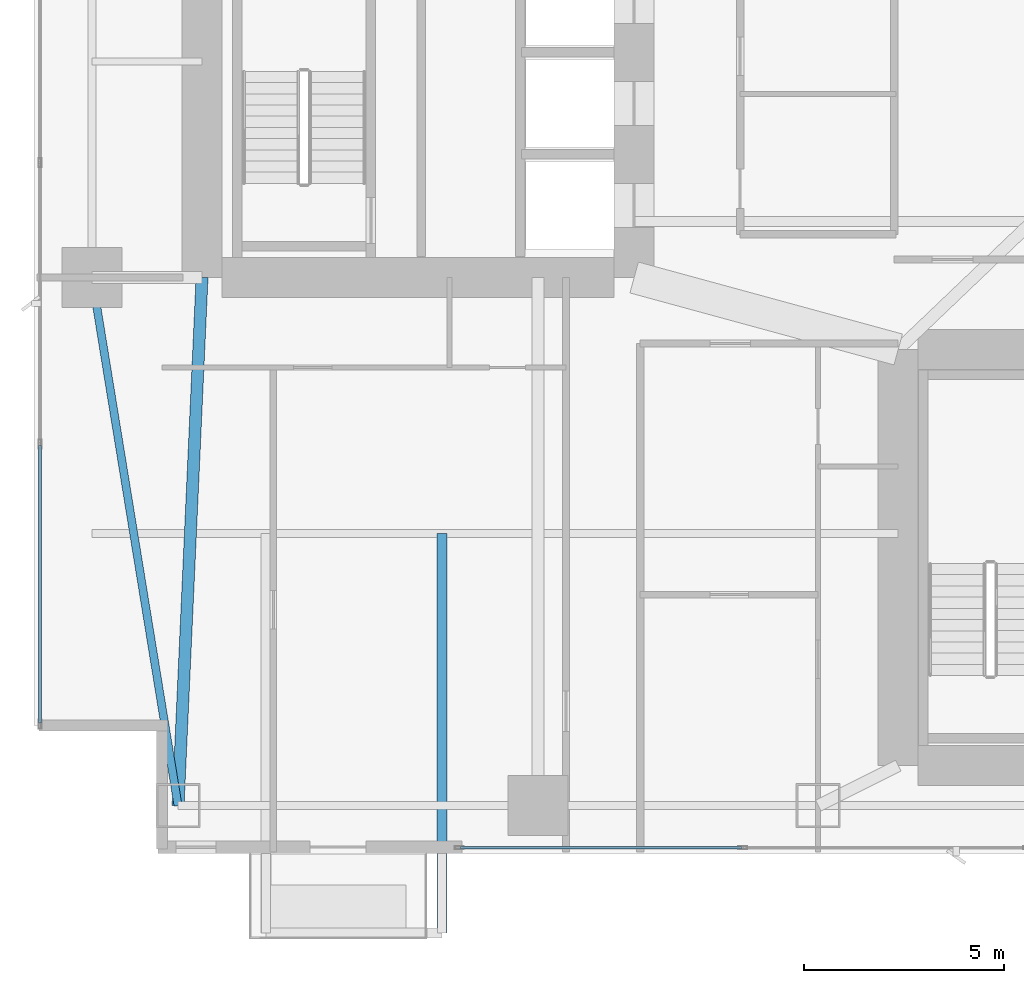
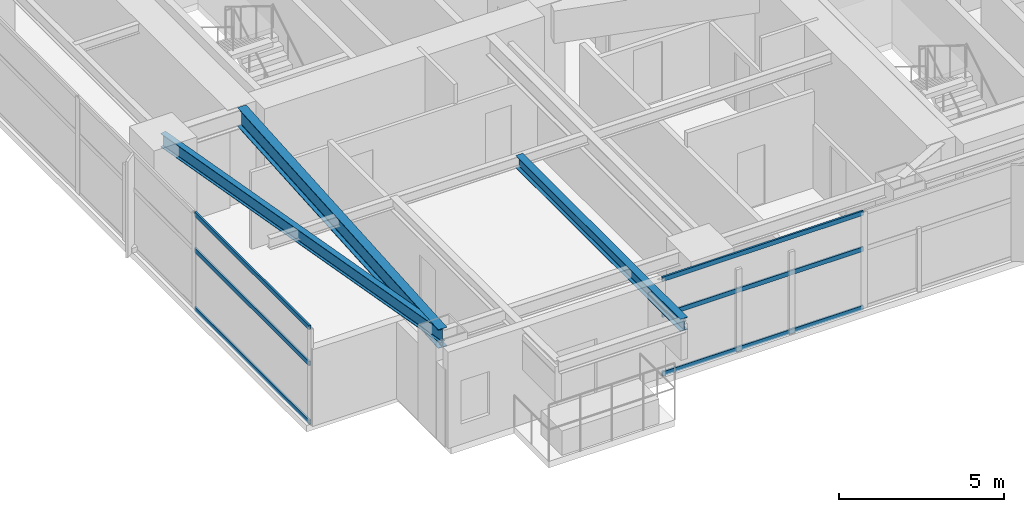
# One storey, part 3 of 30: 6 members, 3 beams, 2 elements without a shape of their own.
"""IFC4 building model written with IfcOpenShell, lengths in metres."""

import ifcopenshell
import ifcopenshell.guid

model = None  # the IFC model being written
_history = None  # IfcOwnerHistory: only IFC2X3 demands one
_inside = {}  # id of a spatial element -> (the spatial element, [elements in it])
_under = {}  # id of a project, library or spatial element -> (it, [spatial elements below it])
_declared = {}  # id of a project -> (the project, [libraries it declares])
_typed = {}  # id of a type object -> (the type object, [elements of that type])
_made_of = {}  # id of a material, layer set ... -> (it, [elements and type objects made of it])


def new_model(schema):
    """Start an empty IFC model of exactly this schema.

    Asked for "IFC4X3", IfcOpenShell would pick the latest addendum, in which some entities
    have other attributes; the version numbers below select the first issue.
    IFC2X3 requires an IfcOwnerHistory on every rooted entity: one is made here for all.
    """
    global model, _history
    if schema == "IFC4X3":
        model = ifcopenshell.file(schema_version=(4, 3, 0, 0))
    else:
        model = ifcopenshell.file(schema=schema)
    _inside.clear()
    _under.clear()
    _declared.clear()
    _typed.clear()
    _made_of.clear()
    _history = None
    if model.schema == "IFC2X3":
        org = make("IfcOrganization", Name="unknown")
        user = make(
            "IfcPersonAndOrganization",
            ThePerson=make("IfcPerson", FamilyName="unknown"),
            TheOrganization=org,
        )
        app = make(
            "IfcApplication",
            ApplicationDeveloper=org,
            Version="unknown",
            ApplicationFullName="unknown",
            ApplicationIdentifier="unknown",
        )
        _history = make(
            "IfcOwnerHistory",
            OwningUser=user,
            OwningApplication=app,
            ChangeAction="ADDED",
            CreationDate=0,
        )
    return model


def make(cls, **values):
    """One entity of the class cls with the attributes given. An attribute that is None is left unset."""
    return model.create_entity(
        cls, **{name: value for name, value in values.items() if value is not None}
    )


def rooted(cls, **values):
    """An entity with a GlobalId (a new one), such as an element, a storey or a relation."""
    return make(cls, GlobalId=ifcopenshell.guid.new(), OwnerHistory=_history, **values)


def si_unit(unit_type, name, prefix=None):
    """IfcSIUnit, for example si_unit("LENGTHUNIT", "METRE", prefix="MILLI")."""
    return make("IfcSIUnit", UnitType=unit_type, Prefix=prefix, Name=name)


def assignment(units):
    """IfcUnitAssignment: the units of a project."""
    return None if units is None else make("IfcUnitAssignment", Units=units)


def point(xyz):
    """IfcCartesianPoint."""
    return None if xyz is None else make("IfcCartesianPoint", Coordinates=xyz)


def direction(xyz):
    """IfcDirection."""
    return None if xyz is None else make("IfcDirection", DirectionRatios=xyz)


def frame(location, z_axis=None, x_axis=None):
    """IfcAxis2Placement3D, a coordinate frame: its origin and axes. An axis left out is left unset."""
    return make(
        "IfcAxis2Placement3D",
        Location=point(location),
        Axis=direction(z_axis),
        RefDirection=direction(x_axis),
    )


def frame_2d(location, x_axis=None):
    """IfcAxis2Placement2D, a coordinate frame in the plane: its origin and x axis."""
    return make(
        "IfcAxis2Placement2D", Location=point(location), RefDirection=direction(x_axis)
    )


def origin():
    """The frame at (0, 0, 0) with its axes left unset."""
    return frame((0.0, 0.0, 0.0))


def origin_2d():
    """The frame at (0, 0) in the plane with its x axis left unset."""
    return frame_2d((0.0, 0.0))


def place(relative_to, where):
    """IfcLocalPlacement: puts the frame where relative to a parent placement (None: the world)."""
    return make(
        "IfcLocalPlacement", PlacementRelTo=relative_to, RelativePlacement=where
    )


def context(
    kind, dimensions, precision=None, world=None, true_north=None, identifier=None
):
    """IfcGeometricRepresentationContext, for example the 3D "Model" context."""
    return make(
        "IfcGeometricRepresentationContext",
        ContextIdentifier=identifier,
        ContextType=kind,
        CoordinateSpaceDimension=dimensions,
        Precision=precision,
        WorldCoordinateSystem=world,
        TrueNorth=true_north,
    )


def subcontext(parent, identifier, kind, view, scale=None):
    """IfcGeometricRepresentationSubContext, for example "Body" below "Model"."""
    return make(
        "IfcGeometricRepresentationSubContext",
        ContextIdentifier=identifier,
        ContextType=kind,
        ParentContext=parent,
        TargetScale=scale,
        TargetView=view,
    )


def project(units=None, contexts=None):
    """IfcProject with its units and contexts."""
    return rooted(
        "IfcProject",
        Name="project",
        RepresentationContexts=contexts,
        UnitsInContext=assignment(units),
    )


def spatial(cls, under=None, at=None, **own):
    """A site, building, storey or space (cls), placed at a placement, below another one or the project."""
    s = rooted(cls, ObjectPlacement=at, **own)
    if under is not None:
        _under.setdefault(under.id(), (under, []))[1].append(s)
    return s


def profile(cls, at=None, kind="AREA", **sizes):
    """A parametric profile (cls). Its sizes go by their IFC names, for example OverallWidth=200.0."""
    return make(cls, ProfileType=kind, Position=at, **sizes)


def hollow_rectangle(**sizes):
    """IfcRectangleHollowProfileDef."""
    return profile("IfcRectangleHollowProfileDef", **sizes)


def i_section(**sizes):
    """IfcIShapeProfileDef."""
    return profile("IfcIShapeProfileDef", **sizes)


def extrude(swept, where, along, depth):
    """IfcExtrudedAreaSolid: the profile swept, set in the frame where, extruded along a direction by depth."""
    return make(
        "IfcExtrudedAreaSolid",
        SweptArea=swept,
        Position=where,
        ExtrudedDirection=direction(along),
        Depth=depth,
    )


def shape(context_of_items, identifier, shape_type, items):
    """IfcShapeRepresentation: the items that make up one representation, for example the "Body"."""
    return make(
        "IfcShapeRepresentation",
        ContextOfItems=context_of_items,
        RepresentationIdentifier=identifier,
        RepresentationType=shape_type,
        Items=items,
    )


def material(Name=None, Category=None):
    """IfcMaterial."""
    return make("IfcMaterial", Name=Name, Category=Category)


def layer(
    of_material, thickness, ventilated=None, Name=None, Category=None, Priority=None
):
    """IfcMaterialLayer: one layer of a wall or slab, of a material (None: an air gap)."""
    return make(
        "IfcMaterialLayer",
        Material=of_material,
        LayerThickness=thickness,
        IsVentilated=ventilated,
        Name=Name,
        Category=Category,
        Priority=Priority,
    )


def layer_set(layers, Name=None):
    """IfcMaterialLayerSet."""
    return make("IfcMaterialLayerSet", MaterialLayers=layers, LayerSetName=Name)


def material_profile(
    of_material, cross_section, Name=None, Category=None, Priority=None
):
    """IfcMaterialProfile: a cross section and its material."""
    return make(
        "IfcMaterialProfile",
        Name=Name,
        Material=of_material,
        Profile=cross_section,
        Priority=Priority,
        Category=Category,
    )


def profile_set(profiles, Name=None, composite=None):
    """IfcMaterialProfileSet."""
    return make(
        "IfcMaterialProfileSet",
        Name=Name,
        MaterialProfiles=profiles,
        CompositeProfile=composite,
    )


def made_of(thing, what):
    """Note that an element or type object is made of a material, layer set ...; save() writes the relation."""
    if what is not None:
        _made_of.setdefault(what.id(), (what, []))[1].append(thing)
    return thing


def type_object(cls, material=None, **own):
    """A type object (cls), such as IfcWallType, which elements share."""
    return made_of(rooted(cls, **own), material)


def element(
    cls,
    number,
    at=None,
    inside=None,
    cuts=None,
    type_object=None,
    material=None,
    context=None,
    identifier="Body",
    shape_type=None,
    held_by="IfcProductDefinitionShape",
    body=None,
    shapes=None,
    **own,
):
    """One element of the class cls, such as IfcWall. Its Tag is "e" and its number.

    at: its placement. inside: the storey or other place that contains it. cuts: it is an
    opening in that element (IfcRelVoidsElement). A single representation is given by context,
    identifier, shape_type and body (its items); several are given by shapes. held_by: the class
    of the entity that holds the representations. save() writes the other relations.
    """
    e = rooted(cls, Tag="e%d" % number, ObjectPlacement=at, **own)
    if body is not None:
        shapes = [shape(context, identifier, shape_type, body)]
    if shapes is not None:
        e.Representation = make(held_by, Representations=shapes)
    if inside is not None:
        _inside.setdefault(inside.id(), (inside, []))[1].append(e)
    if cuts is not None:
        rooted(
            "IfcRelVoidsElement", RelatingBuildingElement=cuts, RelatedOpeningElement=e
        )
    if type_object is not None:
        _typed.setdefault(type_object.id(), (type_object, []))[1].append(e)
    return made_of(e, material)


def aggregate(whole, parts):
    """IfcRelAggregates: a whole, such as a stair, and the parts it consists of."""
    return rooted("IfcRelAggregates", RelatingObject=whole, RelatedObjects=parts)


def save(model, path):
    """Write the relations noted so far, then the file.

    IfcRelAggregates (storeys below a building ...), IfcRelContainedInSpatialStructure (elements
    in a storey), IfcRelDefinesByType, IfcRelAssociatesMaterial and IfcRelDeclares: one each for
    every whole, place, type object, material and project.
    """
    for whole, parts in _under.values():
        aggregate(whole, parts)
    for where, things in _inside.values():
        rooted(
            "IfcRelContainedInSpatialStructure",
            RelatedElements=things,
            RelatingStructure=where,
        )
    for kind, things in _typed.values():
        rooted("IfcRelDefinesByType", RelatedObjects=things, RelatingType=kind)
    for what, things in _made_of.values():
        rooted("IfcRelAssociatesMaterial", RelatedObjects=things, RelatingMaterial=what)
    for by, libraries in _declared.values():
        rooted("IfcRelDeclares", RelatingContext=by, RelatedDefinitions=libraries)
    model.write(path)


model = new_model("IFC4")

# Units and contexts
model_context = context("Model", 3, precision=1e-05, world=origin(), true_north=direction((0.0, 1.0)))
body_context = subcontext(model_context, "Body", "Model", "MODEL_VIEW")
ifc_project = project(units=[si_unit("LENGTHUNIT", "METRE"), si_unit("AREAUNIT", "SQUARE_METRE"), si_unit("VOLUMEUNIT", "CUBIC_METRE"), si_unit("PLANEANGLEUNIT", "RADIAN"), si_unit("MASSUNIT", "GRAM", prefix="KILO")], contexts=[model_context])

# Site, building, storey
site_placement = place(None, origin())
site = spatial("IfcSite", under=ifc_project, at=site_placement, CompositionType="ELEMENT")
building_placement = place(site_placement, origin())
building = spatial("IfcBuilding", under=site, at=building_placement, Name="Calvorn Quay Hotel", CompositionType="ELEMENT")
storey_placement = place(building_placement, frame((0.0, 0.0, 54.60009765625)))
storey = spatial("IfcBuildingStorey", under=building, at=storey_placement, Name="L12", CompositionType="ELEMENT", Elevation=54.60009765625)

# Beams
ifc_material_1 = material(Name="Steel Q355B", Category="steel")
ifc_material_profile_1 = material_profile(ifc_material_1, i_section(OverallWidth=0.25, OverallDepth=0.449951171875, WebThickness=0.011962890625, FlangeThickness=0.01611328125, FilletRadius=0.01611328125, at=origin_2d()), Name="HN450x250x12x16")
ifc_profile_set_1 = profile_set([ifc_material_profile_1], Name="Steel Q355B")
beam_type_1 = type_object("IfcBeamType", Name="BM-CANT-BALC", PredefinedType="BEAM", material=ifc_profile_set_1)
beam_1_placement = place(storey_placement, frame((10.199951171875, 10.39990234375, 3.31494140625), z_axis=(0.0, -1.0, 0.0), x_axis=(1.0, 0.0, 0.0)))
element("IfcBeam", 1, at=beam_1_placement, inside=storey, type_object=beam_type_1, Name="Cantilever Balcony Beam BCB-L13-2B", PredefinedType="BEAM", context=body_context, shape_type="SweptSolid", body=[
    extrude(i_section(OverallWidth=0.25, OverallDepth=0.449951171875, WebThickness=0.011962890625, FlangeThickness=0.01611328125, FilletRadius=0.01611328125, at=origin_2d()), origin(), (0.0, 0.0, 1.0), 9.989990234375),
])
ifc_material_2 = material(Name="Steel Q390GJC", Category="steel")
ifc_material_profile_2 = material_profile(ifc_material_2, i_section(OverallWidth=0.300048828125, OverallDepth=0.699951171875, WebThickness=0.012939453125, FlangeThickness=0.02392578125, FilletRadius=0.02392578125, at=origin_2d()), Name="HN700x300x13x24")
ifc_profile_set_2 = profile_set([ifc_material_profile_2], Name="Steel Q390GJC")
beam_type_2 = type_object("IfcBeamType", Name="BM-GIRD-MAIN", PredefinedType="BEAM", material=ifc_profile_set_2)
beam_2_placement = place(storey_placement, frame((3.60009765625, 3.60009765625, 3.18994140625), z_axis=(0.045396765494, 0.998969035397, 0.0), x_axis=(-0.998969035397, 0.045396765494, 0.0)))
element("IfcBeam", 2, at=beam_2_placement, inside=storey, type_object=beam_type_2, Name="Beam BG-L12-W0", PredefinedType="BEAM", context=body_context, shape_type="SweptSolid", body=[
    extrude(i_section(OverallWidth=0.300048828125, OverallDepth=0.699951171875, WebThickness=0.012939453125, FlangeThickness=0.02392578125, FilletRadius=0.02392578125, at=origin_2d()), origin(), (0.0, 0.0, 1.0), 13.213623046875),
])
ifc_material_3 = material(Name="Steel Q355B", Category="steel")
ifc_material_profile_3 = material_profile(ifc_material_3, i_section(OverallWidth=0.199951171875, OverallDepth=0.5, WebThickness=0.010009765625, FlangeThickness=0.01611328125, FilletRadius=0.01611328125, at=origin_2d()), Name="HN500x200x10x16")
ifc_profile_set_3 = profile_set([ifc_material_profile_3], Name="Steel Q355B")
beam_type_3 = type_object("IfcBeamType", Name="BM-SPANDREL-Z1", PredefinedType="SPANDREL", material=ifc_profile_set_3)
beam_3_placement = place(storey_placement, frame((3.60009765625, 3.60009765625, 3.289794921875), z_axis=(-0.16077155054, 0.986991645627, 0.0), x_axis=(-0.986991645627, -0.16077155054, 0.0)))
element("IfcBeam", 3, at=beam_3_placement, inside=storey, type_object=beam_type_3, Name="Beam BSP-L12-W1", PredefinedType="SPANDREL", context=body_context, shape_type="SweptSolid", body=[
    extrude(i_section(OverallWidth=0.199951171875, OverallDepth=0.5, WebThickness=0.010009765625, FlangeThickness=0.01611328125, FilletRadius=0.01611328125, at=origin_2d()), origin(), (0.0, 0.0, 1.0), 13.3740234375),
])

# Curtain wall, members
ifc_material_4 = material(Name="Pale Anodised Aluminium and Low-E Glass", Category="aluminium")
ifc_layer = layer(ifc_material_4, 0.219970703125)
ifc_layer_set = layer_set([ifc_layer], Name="CW-SYS-Z1")
curtain_wall_type = type_object("IfcCurtainWallType", Name="CW-SYS-Z1", PredefinedType="NOTDEFINED", material=ifc_layer_set)
curtain_wall_1_placement = place(storey_placement, origin())
curtain_wall_1 = element("IfcCurtainWall", 4, at=curtain_wall_1_placement, inside=storey, type_object=curtain_wall_type, Name="Tower West Curtain Wall (L12)", PredefinedType="NOTDEFINED")
ifc_material_5 = material(Name="Pale Anodised Aluminium 6063-T6", Category="aluminium")
ifc_material_profile_4 = material_profile(ifc_material_5, hollow_rectangle(XDim=0.06494140625, YDim=0.1650390625, WallThickness=0.00341796875, at=origin_2d()), Name="ALU-T165x65x3.5")
ifc_profile_set_4 = profile_set([ifc_material_profile_4], Name="Pale Anodised Aluminium 6063-T6")
member_type = type_object("IfcMemberType", Name="CW-SYS-Z1-TRN", PredefinedType="USERDEFINED", material=ifc_profile_set_4)
member_1_placement = place(storey_placement, frame((0.14990234375, 5.659912109375, 0.02978515625), z_axis=(0.0, 1.0, 0.0), x_axis=(-1.0, 0.0, 0.0)))
member_1 = element("IfcMember", 5, at=member_1_placement, type_object=member_type, Name="CW-L12-W transom 1.1", ObjectType="TRANSOM", PredefinedType="USERDEFINED", context=body_context, shape_type="SweptSolid", body=[
    extrude(hollow_rectangle(XDim=0.06494140625, YDim=0.1650390625, WallThickness=0.00341796875, at=origin_2d()), origin(), (0.0, 0.0, 1.0), 6.943359375),
])
member_2_placement = place(storey_placement, frame((0.14990234375, 5.659912109375, 2.199951171875), z_axis=(0.0, 1.0, 0.0), x_axis=(-1.0, 0.0, 0.0)))
member_2 = element("IfcMember", 6, at=member_2_placement, type_object=member_type, Name="CW-L12-W transom 1.2", ObjectType="TRANSOM", PredefinedType="USERDEFINED", context=body_context, shape_type="SweptSolid", body=[
    extrude(hollow_rectangle(XDim=0.06494140625, YDim=0.1650390625, WallThickness=0.00341796875, at=origin_2d()), origin(), (0.0, 0.0, 1.0), 6.943359375),
])
member_3_placement = place(storey_placement, frame((0.14990234375, 5.659912109375, 3.52978515625), z_axis=(0.0, 1.0, 0.0), x_axis=(-1.0, 0.0, 0.0)))
member_3 = element("IfcMember", 7, at=member_3_placement, type_object=member_type, Name="CW-L12-W transom 1.3", ObjectType="TRANSOM", PredefinedType="USERDEFINED", context=body_context, shape_type="SweptSolid", body=[
    extrude(hollow_rectangle(XDim=0.06494140625, YDim=0.1650390625, WallThickness=0.00341796875, at=origin_2d()), origin(), (0.0, 0.0, 1.0), 6.943359375),
])
aggregate(curtain_wall_1, [member_1, member_2, member_3])

curtain_wall_2_placement = place(storey_placement, origin())
curtain_wall_2 = element("IfcCurtainWall", 8, at=curtain_wall_2_placement, inside=storey, type_object=curtain_wall_type, Name="Tower South Waterfront Curtain Wall (L12)", PredefinedType="NOTDEFINED")
member_4_placement = place(storey_placement, frame((10.659912109375, 2.550048828125, 0.02978515625), z_axis=(1.0, 0.0, 0.0), x_axis=(0.0, 1.0, 0.0)))
member_4 = element("IfcMember", 9, at=member_4_placement, type_object=member_type, Name="CW-L12-S transom 1.1", ObjectType="TRANSOM", PredefinedType="USERDEFINED", context=body_context, shape_type="SweptSolid", body=[
    extrude(hollow_rectangle(XDim=0.06494140625, YDim=0.1650390625, WallThickness=0.00341796875, at=origin_2d()), origin(), (0.0, 0.0, 1.0), 7.0244140625),
])
member_5_placement = place(storey_placement, frame((10.659912109375, 2.550048828125, 2.199951171875), z_axis=(1.0, 0.0, 0.0), x_axis=(0.0, 1.0, 0.0)))
member_5 = element("IfcMember", 10, at=member_5_placement, type_object=member_type, Name="CW-L12-S transom 1.2", ObjectType="TRANSOM", PredefinedType="USERDEFINED", context=body_context, shape_type="SweptSolid", body=[
    extrude(hollow_rectangle(XDim=0.06494140625, YDim=0.1650390625, WallThickness=0.00341796875, at=origin_2d()), origin(), (0.0, 0.0, 1.0), 7.0244140625),
])
member_6_placement = place(storey_placement, frame((10.659912109375, 2.550048828125, 3.52978515625), z_axis=(1.0, 0.0, 0.0), x_axis=(0.0, 1.0, 0.0)))
member_6 = element("IfcMember", 11, at=member_6_placement, type_object=member_type, Name="CW-L12-S transom 1.3", ObjectType="TRANSOM", PredefinedType="USERDEFINED", context=body_context, shape_type="SweptSolid", body=[
    extrude(hollow_rectangle(XDim=0.06494140625, YDim=0.1650390625, WallThickness=0.00341796875, at=origin_2d()), origin(), (0.0, 0.0, 1.0), 7.0244140625),
])
aggregate(curtain_wall_2, [member_4, member_5, member_6])

save(model, "model.ifc")
